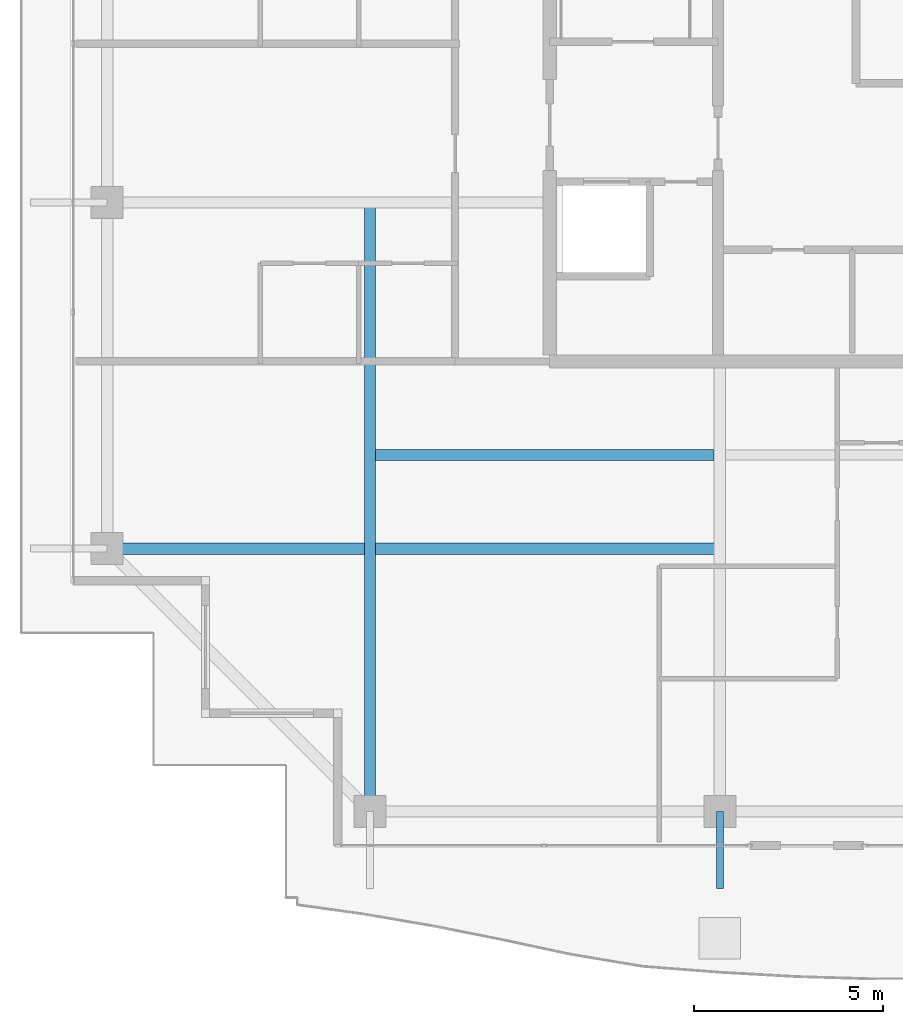
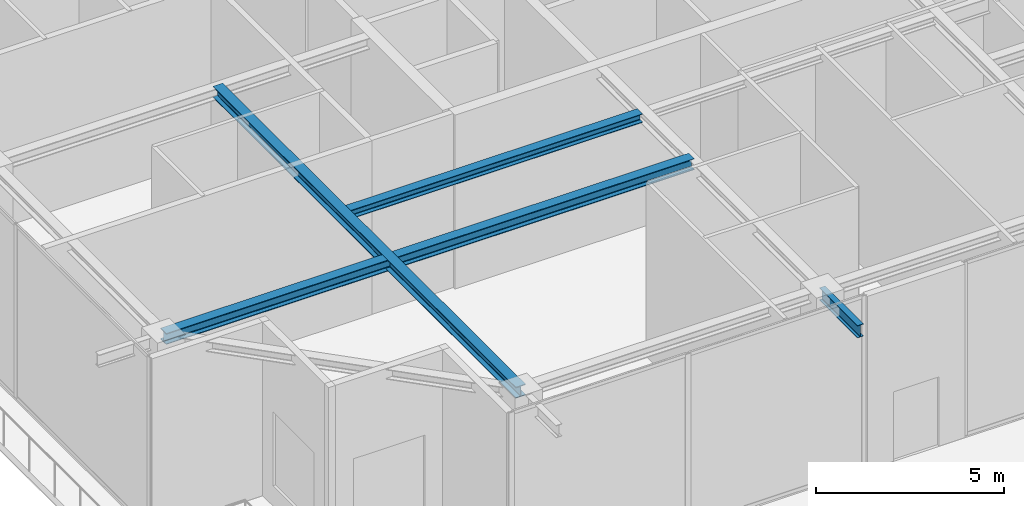
# One storey, part 5 of 38: 4 beams.
"""IFC4 building model written with IfcOpenShell, lengths in metres."""

from ifc_helpers import new_model, si_unit, direction, frame, origin, origin_2d, place, context, subcontext, project, spatial, i_section, extrude, source, transform, mapped, material, material_profile, profile_set, type_object, element, save


model = new_model("IFC4")

# Units and contexts
model_context = context("Model", 3, precision=1e-05, world=origin(), true_north=direction((0.0, 1.0)))
body_context = subcontext(model_context, "Body", "Model", "MODEL_VIEW")
ifc_project = project(units=[si_unit("LENGTHUNIT", "METRE"), si_unit("AREAUNIT", "SQUARE_METRE"), si_unit("VOLUMEUNIT", "CUBIC_METRE"), si_unit("PLANEANGLEUNIT", "RADIAN"), si_unit("MASSUNIT", "GRAM", prefix="KILO")], contexts=[model_context])

# Site, building, storey
site_placement = place(None, origin())
site = spatial("IfcSite", under=ifc_project, at=site_placement, CompositionType="ELEMENT")
building_placement = place(site_placement, origin())
building = spatial("IfcBuilding", under=site, at=building_placement, Name="Serunith Strait Residences", CompositionType="ELEMENT")
storey_placement = place(building_placement, frame((0.0, 0.0, 342.050048828125)))
storey = spatial("IfcBuildingStorey", under=building, at=storey_placement, Name="L85", CompositionType="ELEMENT", Elevation=342.050048828125)

# Beams
ifc_material = material(Name="Steel S355J2", Category="steel")
ifc_material_profile_1 = material_profile(ifc_material, i_section(OverallWidth=0.300048828125, OverallDepth=0.360107421875, WebThickness=0.012451171875, FlangeThickness=0.0224609375, FilletRadius=0.027099609375, at=origin_2d()), Name="HEB 360")
ifc_profile_set_1 = profile_set([ifc_material_profile_1], Name="Steel S355J2")
beam_type_1 = type_object("IfcBeamType", Name="BM-HEB360", PredefinedType="BEAM", material=ifc_profile_set_1)
shared_shape_1 = source(origin(), body_context, "Body", "SweptSolid", [
    extrude(i_section(OverallWidth=0.300048828125, OverallDepth=0.360107421875, WebThickness=0.012451171875, FlangeThickness=0.0224609375, FilletRadius=0.027099609375, at=origin_2d()), origin(), (0.0, 0.0, 1.0), 16.10009765625),
])
beam_1_placement = place(storey_placement, frame((18.64990234375, 21.0, 5.45703125), z_axis=(0.0, -1.0, 0.0), x_axis=(1.0, 0.0, 0.0)))
element("IfcBeam", 1, at=beam_1_placement, inside=storey, type_object=beam_type_1, Name="L85 Orthogonal Corner Girder TC-S1", PredefinedType="BEAM", context=body_context, shape_type="MappedRepresentation", body=[
    mapped(shared_shape_1, transform((0.0, 0.0, 0.0), scale=1.0)),
])
shared_shape_2 = source(origin(), body_context, "Body", "SweptSolid", [
    extrude(i_section(OverallWidth=0.300048828125, OverallDepth=0.360107421875, WebThickness=0.012451171875, FlangeThickness=0.0224609375, FilletRadius=0.027099609375, at=origin_2d()), origin(), (0.0, 0.0, 1.0), 16.199951171875),
])
beam_2_placement = place(storey_placement, frame((27.89990234375, 11.85009765625, 5.45703125), z_axis=(-1.0, 0.0, 0.0), x_axis=(0.0, -1.0, 0.0)))
element("IfcBeam", 2, at=beam_2_placement, inside=storey, type_object=beam_type_1, Name="L85 Orthogonal Corner Girder TC-W1", PredefinedType="BEAM", context=body_context, shape_type="MappedRepresentation", body=[
    mapped(shared_shape_2, transform((0.0, 0.0, 0.0), scale=1.0)),
])
ifc_material_profile_2 = material_profile(ifc_material, i_section(OverallWidth=0.280029296875, OverallDepth=0.280029296875, WebThickness=0.010498046875, FlangeThickness=0.01806640625, FilletRadius=0.02392578125, at=origin_2d()), Name="HEB 280")
ifc_profile_set_2 = profile_set([ifc_material_profile_2], Name="Steel S355J2")
beam_type_2 = type_object("IfcBeamType", Name="BM-HEB280", PredefinedType="JOIST", material=ifc_profile_set_2)
shared_shape_3 = source(origin(), body_context, "Body", "SweptSolid", [
    extrude(i_section(OverallWidth=0.280029296875, OverallDepth=0.280029296875, WebThickness=0.010498046875, FlangeThickness=0.01806640625, FilletRadius=0.02392578125, at=origin_2d()), origin(), (0.0, 0.0, 1.0), 8.949951171875),
])
beam_3_placement = place(storey_placement, frame((18.800048828125, 14.324951171875, 5.4970703125), z_axis=(1.0, 0.0, 0.0), x_axis=(0.0, 1.0, 0.0)))
element("IfcBeam", 3, at=beam_3_placement, inside=storey, type_object=beam_type_2, Name="L85 Composite Floor Joist 01", PredefinedType="JOIST", context=body_context, shape_type="MappedRepresentation", body=[
    mapped(shared_shape_3, transform((0.0, 0.0, 0.0), scale=1.0)),
])
ifc_material_profile_3 = material_profile(ifc_material, i_section(OverallWidth=0.179931640625, OverallDepth=0.39990234375, WebThickness=0.008544921875, FlangeThickness=0.013427734375, FilletRadius=0.02099609375, at=origin_2d()), Name="IPE 400")
ifc_profile_set_3 = profile_set([ifc_material_profile_3], Name="Steel S355J2")
beam_type_3 = type_object("IfcBeamType", Name="BM-IPE400", PredefinedType="JOIST", material=ifc_profile_set_3)
shared_shape_4 = source(origin(), body_context, "Body", "SweptSolid", [
    extrude(i_section(OverallWidth=0.179931640625, OverallDepth=0.39990234375, WebThickness=0.008544921875, FlangeThickness=0.013427734375, FilletRadius=0.02099609375, at=origin_2d()), origin(), (0.0, 0.0, 1.0), 2.02978515625),
])
beam_4_placement = place(storey_placement, frame((27.89990234375, 4.89990234375, 5.406982421875), z_axis=(0.0, -1.0, 0.0), x_axis=(1.0, 0.0, 0.0)))
element("IfcBeam", 4, at=beam_4_placement, inside=storey, type_object=beam_type_3, Name="L86 Cantilevered Balcony Rib TC-S2", PredefinedType="JOIST", context=body_context, shape_type="MappedRepresentation", body=[
    mapped(shared_shape_4, transform((0.0, 0.0, 0.0), scale=1.0)),
])

save(model, "model.ifc")
